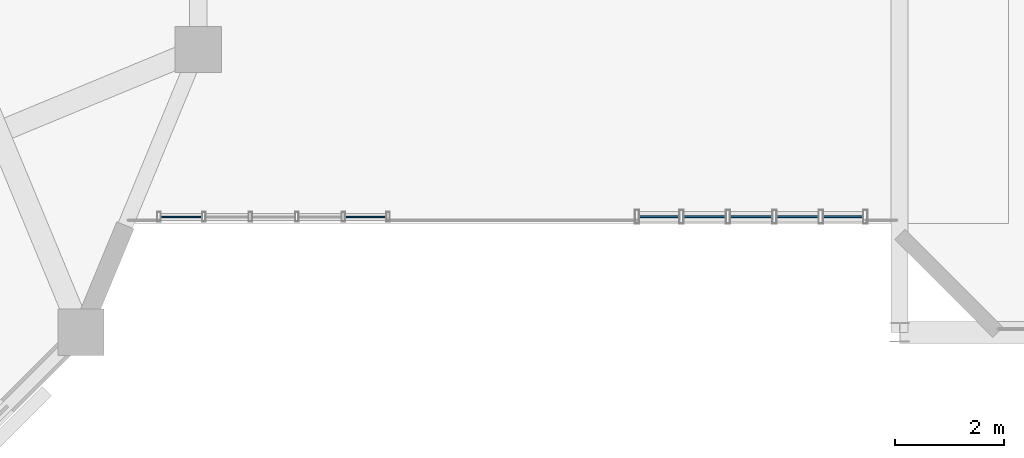
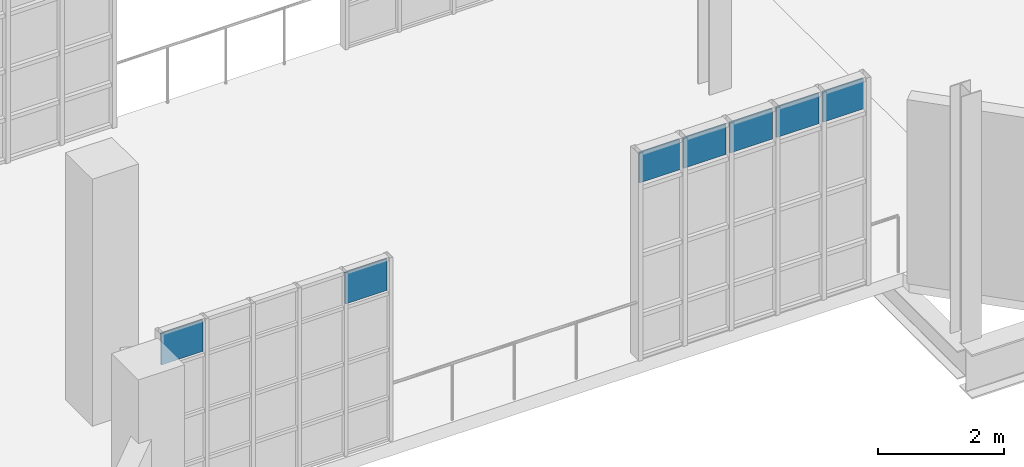
# One storey, part 94 of 122: 7 plates, 2 elements without a shape of their own.
"""IFC4 building model written with IfcOpenShell, lengths in metres."""

from ifc_helpers import new_model, si_unit, direction, frame, origin, origin_2d, place, context, subcontext, project, spatial, rectangle, extrude, material, layer, layer_set, type_object, element, aggregate, save


model = new_model("IFC4")

# Units and contexts
model_context = context("Model", 3, precision=1e-05, world=origin(), true_north=direction((0.0, 1.0)))
body_context = subcontext(model_context, "Body", "Model", "MODEL_VIEW")
ifc_project = project(units=[si_unit("LENGTHUNIT", "METRE"), si_unit("AREAUNIT", "SQUARE_METRE"), si_unit("VOLUMEUNIT", "CUBIC_METRE"), si_unit("PLANEANGLEUNIT", "RADIAN"), si_unit("MASSUNIT", "GRAM", prefix="KILO"), si_unit("THERMODYNAMICTEMPERATUREUNIT", "KELVIN"), si_unit("POWERUNIT", "WATT")], contexts=[model_context])

# Site, building, storey
site_placement = place(None, origin())
site = spatial("IfcSite", under=ifc_project, at=site_placement, CompositionType="ELEMENT")
building_placement = place(site_placement, origin())
building = spatial("IfcBuilding", under=site, at=building_placement, Name="Zelmaris Science Centre", CompositionType="ELEMENT")
storey_placement = place(building_placement, frame((0.0, 0.0, 10.800048828125)))
storey = spatial("IfcBuildingStorey", under=building, at=storey_placement, Name="L02", CompositionType="ELEMENT", Elevation=10.800048828125)

# Curtain wall, plates
ifc_material_1 = material(Name="Anodised architectural aluminium 6063-T6", Category="aluminium")
ifc_layer_1 = layer(ifc_material_1, 0.18994140625, Name="Anodised architectural aluminium 6063-T6")
ifc_layer_set_1 = layer_set([ifc_layer_1], Name="Anodised architectural aluminium 6063-T6")
curtain_wall_type_1 = type_object("IfcCurtainWallType", Name="Curtain Wall CW-01", PredefinedType="USERDEFINED", material=ifc_layer_set_1)
curtain_wall_1_placement = place(storey_placement, origin())
curtain_wall_1 = element("IfcCurtainWall", 1, at=curtain_wall_1_placement, inside=storey, type_object=curtain_wall_type_1, Name="L02 Unitised curtain wall 257", ObjectType="GLAZED CURTAIN WALL", PredefinedType="USERDEFINED")
ifc_material_2 = material(Name="Laminated hurricane-rated low-E insulated glazing", Category="glass")
ifc_layer_2 = layer(ifc_material_2, 0.031982421875, Name="Laminated hurricane-rated low-E insulated glazing")
ifc_layer_set_2 = layer_set([ifc_layer_2], Name="Laminated hurricane-rated low-E insulated glazing")
plate_type_1 = type_object("IfcPlateType", Name="Curtain Glazing Panel CWP-1 32mm", PredefinedType="CURTAIN_PANEL", material=ifc_layer_set_2)
plate_1_placement = place(storey_placement, frame((52.961669921875, 66.11962890625, 3.35595703125), z_axis=(0.0, 0.0, 1.0), x_axis=(-1.0, 0.0, 0.0)))
plate_1 = element("IfcPlate", 2, at=plate_1_placement, type_object=plate_type_1, Name="CW-01 panel 1.4", PredefinedType="CURTAIN_PANEL", context=body_context, shape_type="SweptSolid", body=[
    extrude(rectangle(XDim=0.74462890625, YDim=0.031982421875, at=origin_2d()), origin(), (0.0, 0.0, 1.0), 0.592041015625),
])
plate_2_placement = place(storey_placement, frame((52.126953125, 66.11962890625, 3.35595703125), z_axis=(0.0, 0.0, 1.0), x_axis=(-1.0, 0.0, 0.0)))
plate_2 = element("IfcPlate", 3, at=plate_2_placement, type_object=plate_type_1, Name="CW-01 panel 2.4", PredefinedType="CURTAIN_PANEL", context=body_context, shape_type="SweptSolid", body=[
    extrude(rectangle(XDim=0.78076171875, YDim=0.031982421875, at=origin_2d()), origin(), (0.0, 0.0, 1.0), 0.592041015625),
])
plate_3_placement = place(storey_placement, frame((51.274169921875, 66.11962890625, 3.35595703125), z_axis=(0.0, 0.0, 1.0), x_axis=(-1.0, 0.0, 0.0)))
plate_3 = element("IfcPlate", 4, at=plate_3_placement, type_object=plate_type_1, Name="CW-01 panel 3.4", PredefinedType="CURTAIN_PANEL", context=body_context, shape_type="SweptSolid", body=[
    extrude(rectangle(XDim=0.78076171875, YDim=0.031982421875, at=origin_2d()), origin(), (0.0, 0.0, 1.0), 0.592041015625),
])
plate_4_placement = place(storey_placement, frame((50.421630859375, 66.11962890625, 3.35595703125), z_axis=(0.0, 0.0, 1.0), x_axis=(-1.0, 0.0, 0.0)))
plate_4 = element("IfcPlate", 5, at=plate_4_placement, type_object=plate_type_1, Name="CW-01 panel 4.4", PredefinedType="CURTAIN_PANEL", context=body_context, shape_type="SweptSolid", body=[
    extrude(rectangle(XDim=0.78076171875, YDim=0.031982421875, at=origin_2d()), origin(), (0.0, 0.0, 1.0), 0.592041015625),
])
plate_5_placement = place(storey_placement, frame((49.5869140625, 66.11962890625, 3.35595703125), z_axis=(0.0, 0.0, 1.0), x_axis=(-1.0, 0.0, 0.0)))
plate_5 = element("IfcPlate", 6, at=plate_5_placement, type_object=plate_type_1, Name="CW-01 panel 5.4", PredefinedType="CURTAIN_PANEL", context=body_context, shape_type="SweptSolid", body=[
    extrude(rectangle(XDim=0.74462890625, YDim=0.031982421875, at=origin_2d()), origin(), (0.0, 0.0, 1.0), 0.592041015625),
])
aggregate(curtain_wall_1, [plate_1, plate_2, plate_3, plate_4, plate_5])

ifc_layer_3 = layer(ifc_material_1, 0.2099609375, Name="Anodised architectural aluminium 6063-T6")
ifc_layer_set_3 = layer_set([ifc_layer_3], Name="Anodised architectural aluminium 6063-T6")
curtain_wall_type_2 = type_object("IfcCurtainWallType", Name="Curtain Wall CW-03", PredefinedType="USERDEFINED", material=ifc_layer_set_3)
curtain_wall_2_placement = place(storey_placement, origin())
curtain_wall_2 = element("IfcCurtainWall", 7, at=curtain_wall_2_placement, inside=storey, type_object=curtain_wall_type_2, Name="L02 Unitised curtain wall 259", ObjectType="GLAZED CURTAIN WALL", PredefinedType="USERDEFINED")
ifc_layer_4 = layer(ifc_material_2, 0.02587890625, Name="Laminated hurricane-rated low-E insulated glazing")
ifc_layer_set_4 = layer_set([ifc_layer_4], Name="Laminated hurricane-rated low-E insulated glazing")
plate_type_2 = type_object("IfcPlateType", Name="Curtain Glazing Panel CWP-3 26mm", PredefinedType="CURTAIN_PANEL", material=ifc_layer_set_4)
plate_6_placement = place(storey_placement, frame((44.19873046875, 66.11962890625, 2.8935546875), z_axis=(0.0, 0.0, 1.0), x_axis=(-1.0, 0.0, 0.0)))
plate_6 = element("IfcPlate", 8, at=plate_6_placement, type_object=plate_type_2, Name="CW-03 panel 1.4", PredefinedType="CURTAIN_PANEL", context=body_context, shape_type="SweptSolid", body=[
    extrude(rectangle(XDim=0.76708984375, YDim=0.02587890625, at=origin_2d()), origin(), (0.0, 0.0, 1.0), 0.614501953125),
])
plate_7_placement = place(storey_placement, frame((40.81640625, 66.11962890625, 2.8935546875), z_axis=(0.0, 0.0, 1.0), x_axis=(-1.0, 0.0, 0.0)))
plate_7 = element("IfcPlate", 9, at=plate_7_placement, type_object=plate_type_2, Name="CW-03 panel 5.4", PredefinedType="CURTAIN_PANEL", context=body_context, shape_type="SweptSolid", body=[
    extrude(rectangle(XDim=0.76708984375, YDim=0.02587890625, at=origin_2d()), origin(), (0.0, 0.0, 1.0), 0.614501953125),
])
aggregate(curtain_wall_2, [plate_6, plate_7])

save(model, "model.ifc")
